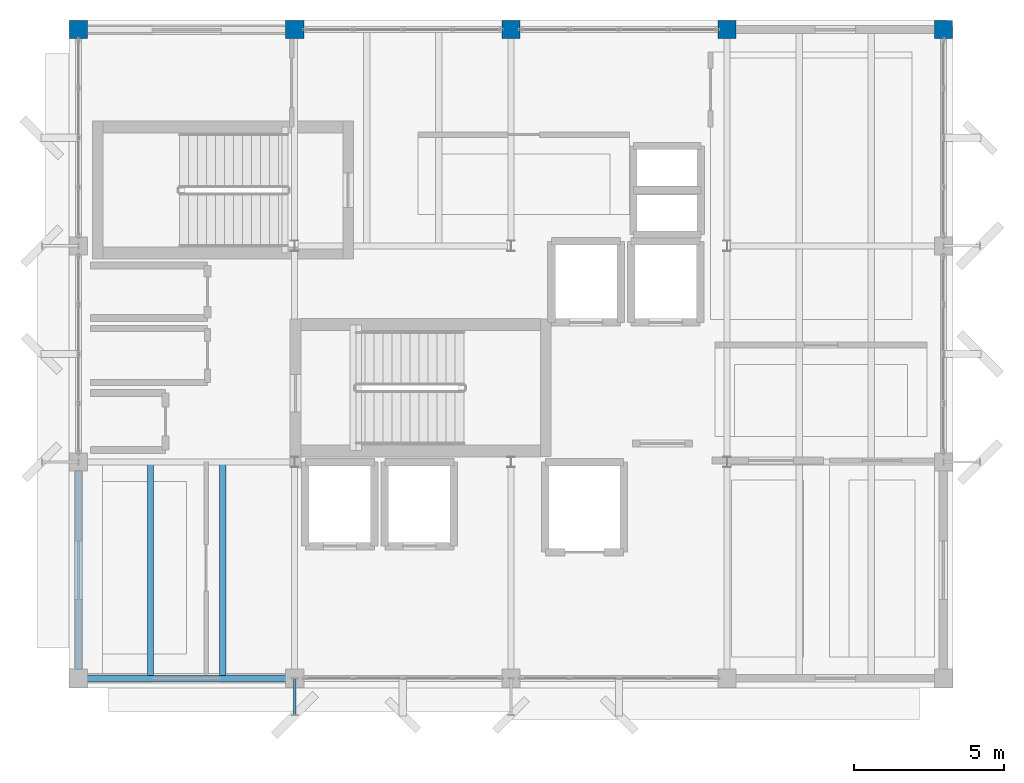
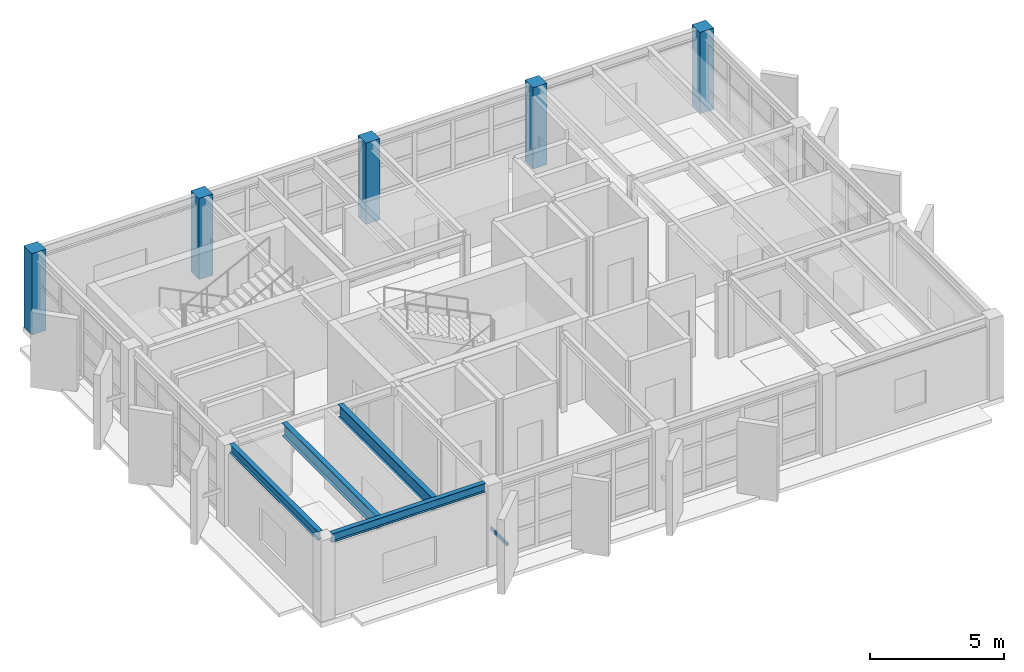
# One storey, part 2 of 15: 5 columns, 4 beams, 1 member.
"""IFC4 building model written with IfcOpenShell, lengths in metres."""

from ifc_helpers import new_model, si_unit, direction, frame, origin, origin_2d, place, context, subcontext, project, spatial, rectangle, hollow_rectangle, i_section, extrude, material, material_profile, profile_set, type_object, element, save


model = new_model("IFC4")

# Units and contexts
model_context = context("Model", 3, precision=1e-05, world=origin(), true_north=direction((0.0, 1.0)))
body_context = subcontext(model_context, "Body", "Model", "MODEL_VIEW")
ifc_project = project(units=[si_unit("LENGTHUNIT", "METRE"), si_unit("AREAUNIT", "SQUARE_METRE"), si_unit("VOLUMEUNIT", "CUBIC_METRE"), si_unit("PLANEANGLEUNIT", "RADIAN"), si_unit("MASSUNIT", "GRAM", prefix="KILO")], contexts=[model_context])

# Site, building, storey
site_placement = place(None, origin())
site = spatial("IfcSite", under=ifc_project, at=site_placement, CompositionType="ELEMENT")
building_placement = place(site_placement, origin())
building = spatial("IfcBuilding", under=site, at=building_placement, Name="Kandorven Conservatory and Botanical Research Centre", CompositionType="ELEMENT")
storey_placement = place(building_placement, frame((0.0, 0.0, 52.199951171875)))
storey = spatial("IfcBuildingStorey", under=building, at=storey_placement, Name="L13", CompositionType="ELEMENT", Elevation=52.199951171875)

# Columns
ifc_material_1 = material(Name="Concrete C40/50 (M50)", Category="concrete")
ifc_material_profile_1 = material_profile(ifc_material_1, rectangle(XDim=0.60009765625, YDim=0.60009765625, at=origin_2d()))
ifc_profile_set_1 = profile_set([ifc_material_profile_1], Name="Concrete C40/50 (M50)")
column_type = type_object("IfcColumnType", Name="Col_TC-04", PredefinedType="COLUMN", material=ifc_profile_set_1)
for number, where, z_axis, x_axis, name in (
    (1, (6.0, 27.60009765625, 0.0), (0.0, 0.0, 1.0), (1.0, 0.0, 0.0), "Column TC-04 TWR L13 (1,4)"),
    (2, (13.199951171875, 27.60009765625, 0.0), (0.0, 0.0, 1.0), (1.0, 0.0, 0.0), "Column TC-04 TWR L13 (2,4)"),
    (3, (20.39990234375, 27.60009765625, 0.0), (0.0, 0.0, 1.0), (1.0, 0.0, 0.0), "Column TC-04 TWR L13 (3,4)"),
    (4, (27.60009765625, 27.60009765625, 0.0), (0.0, 0.0, 1.0), (1.0, 0.0, 0.0), "Column TC-04 TWR L13 (4,4)"),
    (5, (34.800048828125, 27.60009765625, 0.0), (0.0, 0.0, 1.0), (1.0, 0.0, 0.0), "Column TC-04 TWR L13 (5,4)"),
):
    element("IfcColumn", number, at=place(storey_placement, frame(where, z_axis=z_axis, x_axis=x_axis)), inside=storey, type_object=column_type, Name=name, PredefinedType="COLUMN", context=body_context, shape_type="SweptSolid", body=[
        extrude(rectangle(XDim=0.60009765625, YDim=0.60009765625, at=origin_2d()), origin(), (0.0, 0.0, 1.0), 3.705078125),
    ])

# Beams
ifc_material_2 = material(Name="Steel S355 (IS 2062 E350)", Category="steel")
ifc_material_profile_2 = material_profile(ifc_material_2, i_section(OverallWidth=0.199951171875, OverallDepth=0.39990234375, WebThickness=0.008544921875, FlangeThickness=0.012939453125, at=origin_2d()))
ifc_profile_set_2 = profile_set([ifc_material_profile_2], Name="Steel S355 (IS 2062 E350)")
beam_type_1 = type_object("IfcBeamType", Name="Beam_FG-03", PredefinedType="USERDEFINED", material=ifc_profile_set_2)
for number, where, z_axis, x_axis, name in (
    (6, (6.2900390625, 6.0, 3.505126953125), (1.0, 0.0, 0.0), (0.0, 1.0, 0.0), "Primary girder FG-03 TWR L13"),
    (7, (6.0, 6.2900390625, 3.505126953125), (0.0, 1.0, 0.0), (-1.0, 0.0, 0.0), "Primary girder FG-03 TWR L13"),
):
    element("IfcBeam", number, at=place(storey_placement, frame(where, z_axis=z_axis, x_axis=x_axis)), inside=storey, type_object=beam_type_1, Name=name, ObjectType="GIRDER", PredefinedType="USERDEFINED", context=body_context, shape_type="SweptSolid", body=[
        extrude(i_section(OverallWidth=0.199951171875, OverallDepth=0.39990234375, WebThickness=0.008544921875, FlangeThickness=0.012939453125, at=origin_2d()), origin(), (0.0, 0.0, 1.0), 6.619873046875),
    ])
ifc_material_3 = material(Name="Steel S355 (IS 2062 E350)", Category="steel")
ifc_material_profile_3 = material_profile(ifc_material_3, i_section(OverallWidth=0.2099609375, OverallDepth=0.60009765625, WebThickness=0.011962890625, FlangeThickness=0.020751953125, at=origin_2d()))
ifc_profile_set_3 = profile_set([ifc_material_profile_3], Name="Steel S355 (IS 2062 E350)")
beam_type_2 = type_object("IfcBeamType", Name="Beam_SB-01", PredefinedType="BEAM", material=ifc_profile_set_3)
for number, where, z_axis, x_axis, name in (
    (8, (8.39990234375, 6.0849609375, 3.405029296875), (0.0, 1.0, 0.0), (-1.0, 0.0, 0.0), "Composite secondary beam SB-01 TWR L13"),
    (9, (10.800048828125, 6.0849609375, 3.405029296875), (0.0, 1.0, 0.0), (-1.0, 0.0, 0.0), "Composite secondary beam SB-01 TWR L13"),
):
    element("IfcBeam", number, at=place(storey_placement, frame(where, z_axis=z_axis, x_axis=x_axis)), inside=storey, type_object=beam_type_2, Name=name, PredefinedType="BEAM", context=body_context, shape_type="SweptSolid", body=[
        extrude(i_section(OverallWidth=0.2099609375, OverallDepth=0.60009765625, WebThickness=0.011962890625, FlangeThickness=0.020751953125, at=origin_2d()), origin(), (0.0, 0.0, 1.0), 7.030029296875),
    ])

# Member
ifc_material_4 = material(Name="Steel S355 (IS 2062 E350)", Category="steel")
ifc_material_profile_4 = material_profile(ifc_material_4, hollow_rectangle(XDim=0.074951171875, YDim=0.14990234375, WallThickness=0.006103515625, at=origin_2d()))
ifc_profile_set_4 = profile_set([ifc_material_profile_4], Name="Steel S355 (IS 2062 E350)")
member_type = type_object("IfcMemberType", Name="Mem_SF-01", PredefinedType="STRUT", material=ifc_profile_set_4)
member_placement = place(storey_placement, frame((13.199951171875, 6.0, 1.5), z_axis=(0.0, -1.0, 0.0), x_axis=(1.0, 0.0, 0.0)))
element("IfcMember", 10, at=member_placement, inside=storey, type_object=member_type, Name="Solar fin steel outrigger strut SF-01 #109", PredefinedType="STRUT", context=body_context, shape_type="SweptSolid", body=[
    extrude(hollow_rectangle(XDim=0.074951171875, YDim=0.14990234375, WallThickness=0.006103515625, at=origin_2d()), origin(), (0.0, 0.0, 1.0), 1.219970703125),
])

save(model, "model.ifc")
